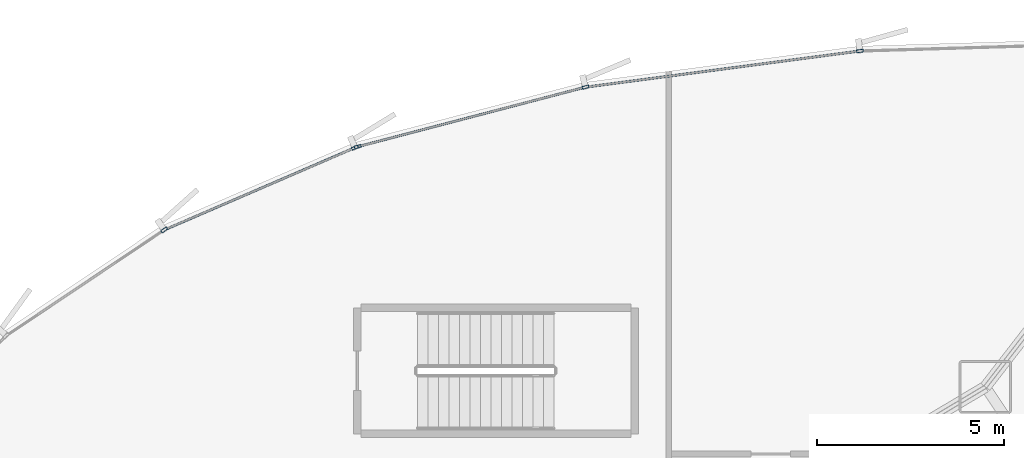
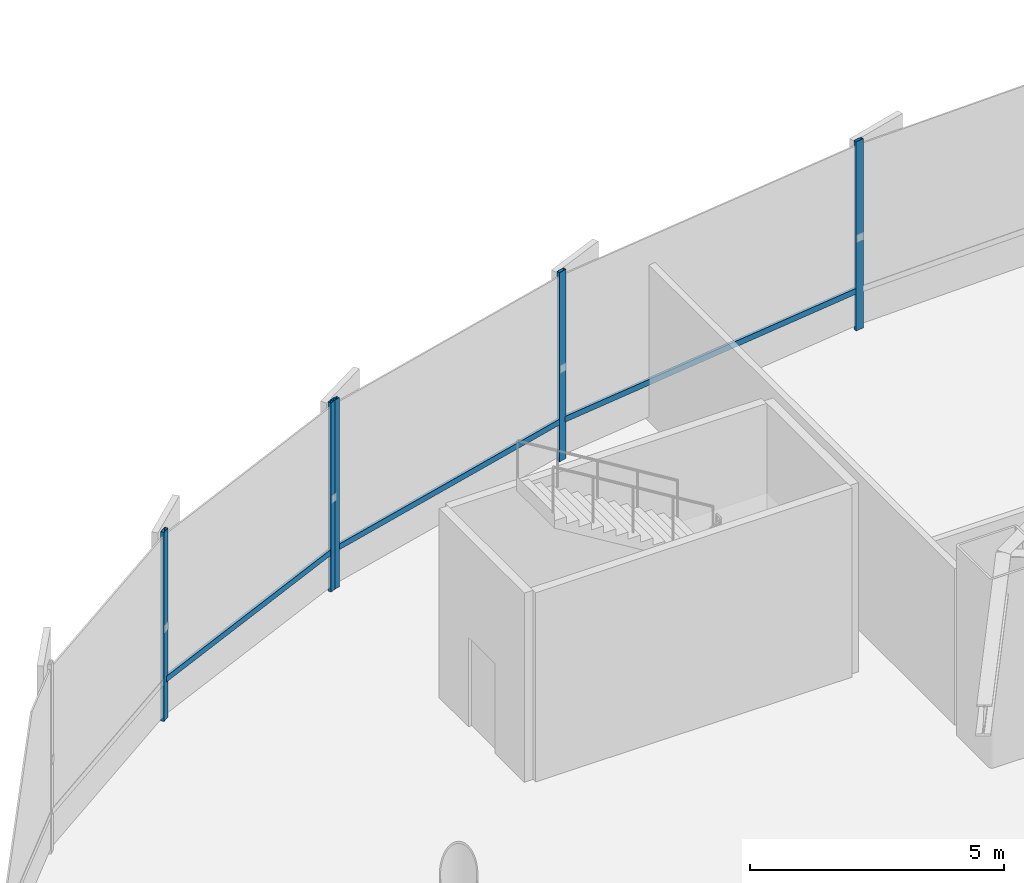
# One storey, part 12 of 34: 8 members, 2 elements without a shape of their own.
"""IFC4 building model written with IfcOpenShell, lengths in metres."""

from ifc_helpers import new_model, si_unit, direction, frame, origin, origin_2d, place, context, subcontext, project, spatial, hollow_rectangle, extrude, source, transform, mapped, material, layer, layer_set, material_profile, profile_set, type_object, element, aggregate, save


model = new_model("IFC4")

# Units and contexts
model_context = context("Model", 3, precision=1e-05, world=origin(), true_north=direction((0.0, 1.0)))
body_context = subcontext(model_context, "Body", "Model", "MODEL_VIEW")
ifc_project = project(units=[si_unit("LENGTHUNIT", "METRE"), si_unit("AREAUNIT", "SQUARE_METRE"), si_unit("VOLUMEUNIT", "CUBIC_METRE"), si_unit("PLANEANGLEUNIT", "RADIAN"), si_unit("MASSUNIT", "GRAM", prefix="KILO"), si_unit("THERMODYNAMICTEMPERATUREUNIT", "KELVIN")], contexts=[model_context])

# Site, building, storey
site_placement = place(None, origin())
site = spatial("IfcSite", under=ifc_project, at=site_placement, CompositionType="ELEMENT")
building_placement = place(site_placement, origin())
building = spatial("IfcBuilding", under=site, at=building_placement, Name="Kethvar Cultural Tower", CompositionType="ELEMENT")
storey_placement = place(building_placement, frame((0.0, 0.0, 5.199951171875)))
storey = spatial("IfcBuildingStorey", under=building, at=storey_placement, Name="L01", CompositionType="ELEMENT", Elevation=5.199951171875)

# Curtain wall, member
ifc_material = material(Name="Aluminium 6063-T6", Category="aluminium")
ifc_layer = layer(ifc_material, 0.179931640625, Name="Aluminium 6063-T6", Category="aluminium")
ifc_layer_set = layer_set([ifc_layer], Name="Aluminium 6063-T6 (180 mm)")
curtain_wall_type = type_object("IfcCurtainWallType", Name="CW-SYS-01-POD", PredefinedType="NOTDEFINED", material=ifc_layer_set)
curtain_wall_1_placement = place(storey_placement, origin())
curtain_wall_1 = element("IfcCurtainWall", 1, at=curtain_wall_1_placement, inside=storey, type_object=curtain_wall_type, Name="L01 Curtain Wall Run 03", PredefinedType="NOTDEFINED")
ifc_material_profile_1 = material_profile(ifc_material, hollow_rectangle(XDim=0.06005859375, YDim=0.139892578125, WallThickness=0.0048828125, at=origin_2d()), Name="Aluminium 6063-T6 — RHS140x60x5")
ifc_profile_set_1 = profile_set([ifc_material_profile_1], Name="Aluminium 6063-T6 — RHS140x60x5")
member_type_1 = type_object("IfcMemberType", Name="CW-SYS-01-POD-TRN", PredefinedType="USERDEFINED", material=ifc_profile_set_1)
shared_shape_1 = source(origin(), body_context, "Body", "SweptSolid", [
    extrude(hollow_rectangle(XDim=0.06005859375, YDim=0.139892578125, WallThickness=0.0048828125, at=origin_2d()), origin(), (0.0, 0.0, 1.0), 5.504638671875),
])
member_1_placement = place(storey_placement, frame((17.82861328125, 52.3681640625, 0.949951171875), z_axis=(-0.918072625283, -0.39641222825, 0.0), x_axis=(0.39641222825, -0.918072625283, 0.0)))
member_1 = element("IfcMember", 2, at=member_1_placement, type_object=member_type_1, Name="CW-L01-R03 Transom 1", ObjectType="TRANSOM", PredefinedType="USERDEFINED", context=body_context, shape_type="MappedRepresentation", body=[
    mapped(shared_shape_1, transform((0.0, 0.0, 0.0), scale=1.0)),
])

# Curtain wall, members
curtain_wall_2_placement = place(storey_placement, origin())
curtain_wall_2 = element("IfcCurtainWall", 3, at=curtain_wall_2_placement, inside=storey, type_object=curtain_wall_type, Name="L01 Curtain Wall Run 02", PredefinedType="NOTDEFINED")
shared_shape_2 = source(origin(), body_context, "Body", "SweptSolid", [
    extrude(hollow_rectangle(XDim=0.06005859375, YDim=0.139892578125, WallThickness=0.0048828125, at=origin_2d()), origin(), (0.0, 0.0, 1.0), 7.28955078125),
])
member_2_placement = place(storey_placement, frame((31.24755859375, 54.94091796875, 0.949951171875), z_axis=(-0.9914326226, -0.13061912128, 0.0), x_axis=(0.13061912128, -0.9914326226, 0.0)))
member_2 = element("IfcMember", 4, at=member_2_placement, type_object=member_type_1, Name="CW-L01-R02 Transom 5", ObjectType="TRANSOM", PredefinedType="USERDEFINED", context=body_context, shape_type="MappedRepresentation", body=[
    mapped(shared_shape_2, transform((0.0, 0.0, 0.0), scale=1.0)),
])
shared_shape_3 = source(origin(), body_context, "Body", "SweptSolid", [
    extrude(hollow_rectangle(XDim=0.06005859375, YDim=0.139892578125, WallThickness=0.0048828125, at=origin_2d()), origin(), (0.0, 0.0, 1.0), 6.221435546875),
])
member_3_placement = place(storey_placement, frame((23.930908203125, 53.97119140625, 0.949951171875), z_axis=(-0.967458727109, -0.253028874519, 0.0), x_axis=(0.253028874519, -0.967458727109, 0.0)))
member_3 = element("IfcMember", 5, at=member_3_placement, type_object=member_type_1, Name="CW-L01-R02 Transom 6", ObjectType="TRANSOM", PredefinedType="USERDEFINED", context=body_context, shape_type="MappedRepresentation", body=[
    mapped(shared_shape_3, transform((0.0, 0.0, 0.0), scale=1.0)),
])
ifc_material_profile_2 = material_profile(ifc_material, hollow_rectangle(XDim=0.074951171875, YDim=0.179931640625, WallThickness=0.006103515625, at=origin_2d()), Name="Aluminium 6063-T6 — RHS180x75x6")
ifc_profile_set_2 = profile_set([ifc_material_profile_2], Name="Aluminium 6063-T6 — RHS180x75x6")
member_type_2 = type_object("IfcMemberType", Name="CW-SYS-01-POD-MUL", PredefinedType="MULLION", material=ifc_profile_set_2)
shared_shape_4 = source(origin(), body_context, "Body", "SweptSolid", [
    extrude(hollow_rectangle(XDim=0.074951171875, YDim=0.179931640625, WallThickness=0.006103515625, at=origin_2d()), origin(), (0.0, 0.0, 1.0), 4.550048828125),
])
member_4_placement = place(storey_placement, frame((31.301025390625, 54.947998046875, 0.0), z_axis=(0.0, 0.0, 1.0), x_axis=(0.130647319086, -0.991428907192, 0.0)))
member_4 = element("IfcMember", 6, at=member_4_placement, type_object=member_type_2, Name="CW-L01-R02 Mullion 5", PredefinedType="MULLION", context=body_context, shape_type="MappedRepresentation", body=[
    mapped(shared_shape_4, transform((0.0, 0.0, 0.0), scale=1.0)),
])
member_5_placement = place(storey_placement, frame((23.98291015625, 53.984619140625, 0.0), z_axis=(0.0, 0.0, 1.0), x_axis=(0.253031946887, -0.967457923558, 0.0)))
member_5 = element("IfcMember", 7, at=member_5_placement, type_object=member_type_2, Name="CW-L01-R02 Mullion 6", PredefinedType="MULLION", context=body_context, shape_type="MappedRepresentation", body=[
    mapped(shared_shape_4, transform((0.0, 0.0, 0.0), scale=1.0)),
])
member_6_placement = place(storey_placement, frame((17.90673828125, 52.3955078125, 0.0), z_axis=(0.0, 0.0, 1.0), x_axis=(0.253031946887, -0.967457923558, 0.0)))
member_6 = element("IfcMember", 8, at=member_6_placement, type_object=member_type_2, Name="CW-L01-R02 Mullion 7", PredefinedType="MULLION", context=body_context, shape_type="MappedRepresentation", body=[
    mapped(shared_shape_4, transform((0.0, 0.0, 0.0), scale=1.0)),
])
aggregate(curtain_wall_2, [member_4, member_5, member_6, member_2, member_3])

# Member
member_7_placement = place(storey_placement, frame((17.83349609375, 52.370361328125, 0.0), z_axis=(0.0, 0.0, 1.0), x_axis=(0.396410942082, -0.918073180633, 0.0)))
member_7 = element("IfcMember", 9, at=member_7_placement, type_object=member_type_2, Name="CW-L01-R03 Mullion 1", PredefinedType="MULLION", context=body_context, shape_type="MappedRepresentation", body=[
    mapped(shared_shape_4, transform((0.0, 0.0, 0.0), scale=1.0)),
])

member_8_placement = place(storey_placement, frame((12.74609375, 50.176025390625, 0.0), z_axis=(0.0, 0.0, 1.0), x_axis=(0.556556649514, -0.830809662848, 0.0)))
member_8 = element("IfcMember", 10, at=member_8_placement, type_object=member_type_2, Name="CW-L01-R03 Mullion 2", PredefinedType="MULLION", context=body_context, shape_type="MappedRepresentation", body=[
    mapped(shared_shape_4, transform((0.0, 0.0, 0.0), scale=1.0)),
])

aggregate(curtain_wall_1, [member_7, member_8, member_1])

save(model, "model.ifc")
